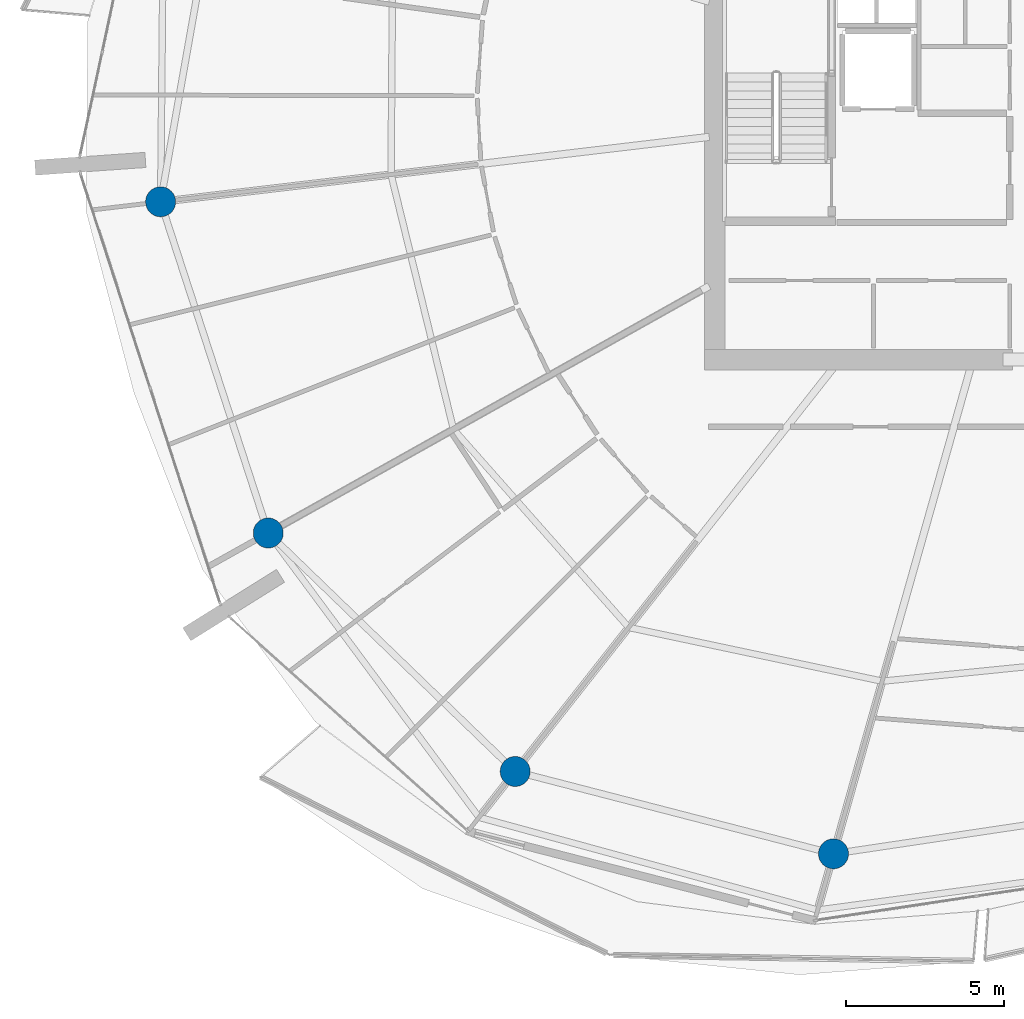
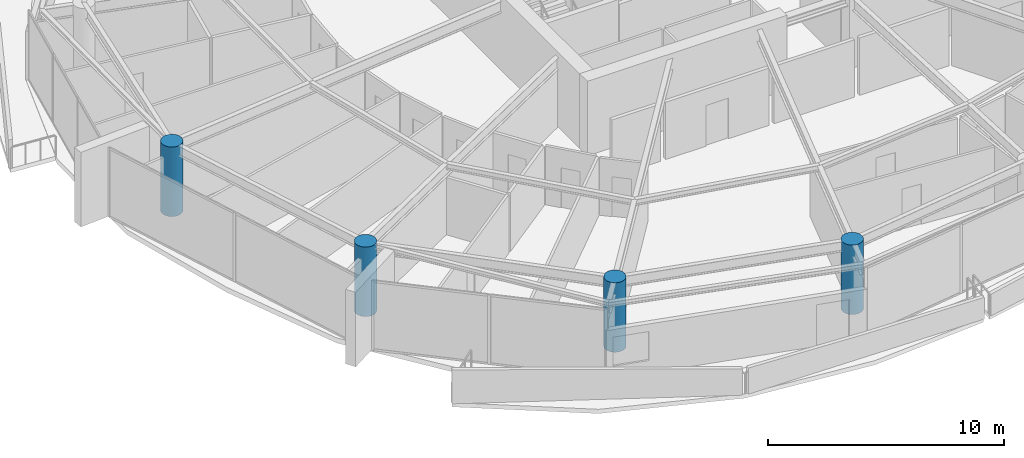
# One storey, part 1 of 29: 4 columns.
"""IFC4 building model written with IfcOpenShell, lengths in metres."""

import ifcopenshell
import ifcopenshell.guid

model = None  # the IFC model being written
_history = None  # IfcOwnerHistory: only IFC2X3 demands one
_inside = {}  # id of a spatial element -> (the spatial element, [elements in it])
_under = {}  # id of a project, library or spatial element -> (it, [spatial elements below it])
_declared = {}  # id of a project -> (the project, [libraries it declares])
_typed = {}  # id of a type object -> (the type object, [elements of that type])
_made_of = {}  # id of a material, layer set ... -> (it, [elements and type objects made of it])


def new_model(schema):
    """Start an empty IFC model of exactly this schema.

    Asked for "IFC4X3", IfcOpenShell would pick the latest addendum, in which some entities
    have other attributes; the version numbers below select the first issue.
    IFC2X3 requires an IfcOwnerHistory on every rooted entity: one is made here for all.
    """
    global model, _history
    if schema == "IFC4X3":
        model = ifcopenshell.file(schema_version=(4, 3, 0, 0))
    else:
        model = ifcopenshell.file(schema=schema)
    _inside.clear()
    _under.clear()
    _declared.clear()
    _typed.clear()
    _made_of.clear()
    _history = None
    if model.schema == "IFC2X3":
        org = make("IfcOrganization", Name="unknown")
        user = make(
            "IfcPersonAndOrganization",
            ThePerson=make("IfcPerson", FamilyName="unknown"),
            TheOrganization=org,
        )
        app = make(
            "IfcApplication",
            ApplicationDeveloper=org,
            Version="unknown",
            ApplicationFullName="unknown",
            ApplicationIdentifier="unknown",
        )
        _history = make(
            "IfcOwnerHistory",
            OwningUser=user,
            OwningApplication=app,
            ChangeAction="ADDED",
            CreationDate=0,
        )
    return model


def make(cls, **values):
    """One entity of the class cls with the attributes given. An attribute that is None is left unset."""
    return model.create_entity(
        cls, **{name: value for name, value in values.items() if value is not None}
    )


def rooted(cls, **values):
    """An entity with a GlobalId (a new one), such as an element, a storey or a relation."""
    return make(cls, GlobalId=ifcopenshell.guid.new(), OwnerHistory=_history, **values)


def si_unit(unit_type, name, prefix=None):
    """IfcSIUnit, for example si_unit("LENGTHUNIT", "METRE", prefix="MILLI")."""
    return make("IfcSIUnit", UnitType=unit_type, Prefix=prefix, Name=name)


def assignment(units):
    """IfcUnitAssignment: the units of a project."""
    return None if units is None else make("IfcUnitAssignment", Units=units)


def point(xyz):
    """IfcCartesianPoint."""
    return None if xyz is None else make("IfcCartesianPoint", Coordinates=xyz)


def direction(xyz):
    """IfcDirection."""
    return None if xyz is None else make("IfcDirection", DirectionRatios=xyz)


def frame(location, z_axis=None, x_axis=None):
    """IfcAxis2Placement3D, a coordinate frame: its origin and axes. An axis left out is left unset."""
    return make(
        "IfcAxis2Placement3D",
        Location=point(location),
        Axis=direction(z_axis),
        RefDirection=direction(x_axis),
    )


def frame_2d(location, x_axis=None):
    """IfcAxis2Placement2D, a coordinate frame in the plane: its origin and x axis."""
    return make(
        "IfcAxis2Placement2D", Location=point(location), RefDirection=direction(x_axis)
    )


def origin():
    """The frame at (0, 0, 0) with its axes left unset."""
    return frame((0.0, 0.0, 0.0))


def origin_2d():
    """The frame at (0, 0) in the plane with its x axis left unset."""
    return frame_2d((0.0, 0.0))


def place(relative_to, where):
    """IfcLocalPlacement: puts the frame where relative to a parent placement (None: the world)."""
    return make(
        "IfcLocalPlacement", PlacementRelTo=relative_to, RelativePlacement=where
    )


def context(
    kind, dimensions, precision=None, world=None, true_north=None, identifier=None
):
    """IfcGeometricRepresentationContext, for example the 3D "Model" context."""
    return make(
        "IfcGeometricRepresentationContext",
        ContextIdentifier=identifier,
        ContextType=kind,
        CoordinateSpaceDimension=dimensions,
        Precision=precision,
        WorldCoordinateSystem=world,
        TrueNorth=true_north,
    )


def subcontext(parent, identifier, kind, view, scale=None):
    """IfcGeometricRepresentationSubContext, for example "Body" below "Model"."""
    return make(
        "IfcGeometricRepresentationSubContext",
        ContextIdentifier=identifier,
        ContextType=kind,
        ParentContext=parent,
        TargetScale=scale,
        TargetView=view,
    )


def project(units=None, contexts=None):
    """IfcProject with its units and contexts."""
    return rooted(
        "IfcProject",
        Name="project",
        RepresentationContexts=contexts,
        UnitsInContext=assignment(units),
    )


def spatial(cls, under=None, at=None, **own):
    """A site, building, storey or space (cls), placed at a placement, below another one or the project."""
    s = rooted(cls, ObjectPlacement=at, **own)
    if under is not None:
        _under.setdefault(under.id(), (under, []))[1].append(s)
    return s


def profile(cls, at=None, kind="AREA", **sizes):
    """A parametric profile (cls). Its sizes go by their IFC names, for example OverallWidth=200.0."""
    return make(cls, ProfileType=kind, Position=at, **sizes)


def circle(**sizes):
    """IfcCircleProfileDef."""
    return profile("IfcCircleProfileDef", **sizes)


def extrude(swept, where, along, depth):
    """IfcExtrudedAreaSolid: the profile swept, set in the frame where, extruded along a direction by depth."""
    return make(
        "IfcExtrudedAreaSolid",
        SweptArea=swept,
        Position=where,
        ExtrudedDirection=direction(along),
        Depth=depth,
    )


def shape(context_of_items, identifier, shape_type, items):
    """IfcShapeRepresentation: the items that make up one representation, for example the "Body"."""
    return make(
        "IfcShapeRepresentation",
        ContextOfItems=context_of_items,
        RepresentationIdentifier=identifier,
        RepresentationType=shape_type,
        Items=items,
    )


def material(Name=None, Category=None):
    """IfcMaterial."""
    return make("IfcMaterial", Name=Name, Category=Category)


def material_profile(
    of_material, cross_section, Name=None, Category=None, Priority=None
):
    """IfcMaterialProfile: a cross section and its material."""
    return make(
        "IfcMaterialProfile",
        Name=Name,
        Material=of_material,
        Profile=cross_section,
        Priority=Priority,
        Category=Category,
    )


def profile_set(profiles, Name=None, composite=None):
    """IfcMaterialProfileSet."""
    return make(
        "IfcMaterialProfileSet",
        Name=Name,
        MaterialProfiles=profiles,
        CompositeProfile=composite,
    )


def made_of(thing, what):
    """Note that an element or type object is made of a material, layer set ...; save() writes the relation."""
    if what is not None:
        _made_of.setdefault(what.id(), (what, []))[1].append(thing)
    return thing


def type_object(cls, material=None, **own):
    """A type object (cls), such as IfcWallType, which elements share."""
    return made_of(rooted(cls, **own), material)


def element(
    cls,
    number,
    at=None,
    inside=None,
    cuts=None,
    type_object=None,
    material=None,
    context=None,
    identifier="Body",
    shape_type=None,
    held_by="IfcProductDefinitionShape",
    body=None,
    shapes=None,
    **own,
):
    """One element of the class cls, such as IfcWall. Its Tag is "e" and its number.

    at: its placement. inside: the storey or other place that contains it. cuts: it is an
    opening in that element (IfcRelVoidsElement). A single representation is given by context,
    identifier, shape_type and body (its items); several are given by shapes. held_by: the class
    of the entity that holds the representations. save() writes the other relations.
    """
    e = rooted(cls, Tag="e%d" % number, ObjectPlacement=at, **own)
    if body is not None:
        shapes = [shape(context, identifier, shape_type, body)]
    if shapes is not None:
        e.Representation = make(held_by, Representations=shapes)
    if inside is not None:
        _inside.setdefault(inside.id(), (inside, []))[1].append(e)
    if cuts is not None:
        rooted(
            "IfcRelVoidsElement", RelatingBuildingElement=cuts, RelatedOpeningElement=e
        )
    if type_object is not None:
        _typed.setdefault(type_object.id(), (type_object, []))[1].append(e)
    return made_of(e, material)


def aggregate(whole, parts):
    """IfcRelAggregates: a whole, such as a stair, and the parts it consists of."""
    return rooted("IfcRelAggregates", RelatingObject=whole, RelatedObjects=parts)


def save(model, path):
    """Write the relations noted so far, then the file.

    IfcRelAggregates (storeys below a building ...), IfcRelContainedInSpatialStructure (elements
    in a storey), IfcRelDefinesByType, IfcRelAssociatesMaterial and IfcRelDeclares: one each for
    every whole, place, type object, material and project.
    """
    for whole, parts in _under.values():
        aggregate(whole, parts)
    for where, things in _inside.values():
        rooted(
            "IfcRelContainedInSpatialStructure",
            RelatedElements=things,
            RelatingStructure=where,
        )
    for kind, things in _typed.values():
        rooted("IfcRelDefinesByType", RelatedObjects=things, RelatingType=kind)
    for what, things in _made_of.values():
        rooted("IfcRelAssociatesMaterial", RelatedObjects=things, RelatingMaterial=what)
    for by, libraries in _declared.values():
        rooted("IfcRelDeclares", RelatingContext=by, RelatedDefinitions=libraries)
    model.write(path)


model = new_model("IFC4")

# Units and contexts
model_context = context("Model", 3, precision=1e-05, world=origin(), true_north=direction((0.0, 1.0)))
body_context = subcontext(model_context, "Body", "Model", "MODEL_VIEW")
ifc_project = project(units=[si_unit("LENGTHUNIT", "METRE"), si_unit("AREAUNIT", "SQUARE_METRE"), si_unit("VOLUMEUNIT", "CUBIC_METRE"), si_unit("PLANEANGLEUNIT", "RADIAN"), si_unit("MASSUNIT", "GRAM", prefix="KILO")], contexts=[model_context])

# Site, building, storey
site_placement = place(None, origin())
site = spatial("IfcSite", under=ifc_project, at=site_placement, CompositionType="ELEMENT")
building_placement = place(site_placement, origin())
building = spatial("IfcBuilding", under=site, at=building_placement, Name="Kazma Halo Residences", CompositionType="ELEMENT")
storey_placement = place(building_placement, frame((0.0, 0.0, 252.10009765625)))
storey = spatial("IfcBuildingStorey", under=building, at=storey_placement, Name="L63", CompositionType="ELEMENT", Elevation=252.10009765625)

# Columns
ifc_material = material(Name="Concrete C60/75", Category="concrete")
ifc_material_profile = material_profile(ifc_material, circle(Radius=0.47509765625, at=origin_2d()), Name="CIRC950")
ifc_profile_set = profile_set([ifc_material_profile], Name="Concrete C60/75")
column_type = type_object("IfcColumnType", Name="COL-PERIM-950", PredefinedType="COLUMN", material=ifc_profile_set)
for number, where, z_axis, x_axis, name in (
    (1, (19.92041015625, 38.676513671875, 0.0), (0.0, 0.0, 1.0), (1.0, 0.0, 0.0), "L63 perimeter ring column P08"),
    (2, (23.32958984375, 28.18408203125, 0.0), (0.0, 0.0, 1.0), (1.0, 0.0, 0.0), "L63 perimeter ring column P09"),
    (3, (31.15283203125, 20.62939453125, 0.0), (0.0, 0.0, 1.0), (1.0, 0.0, 0.0), "L63 perimeter ring column P10"),
    (4, (41.237060546875, 18.0205078125, 0.0), (0.0, 0.0, 1.0), (1.0, 0.0, 0.0), "L63 perimeter ring column P11"),
):
    element("IfcColumn", number, at=place(storey_placement, frame(where, z_axis=z_axis, x_axis=x_axis)), inside=storey, type_object=column_type, Name=name, PredefinedType="COLUMN", context=body_context, shape_type="SweptSolid", body=[
        extrude(circle(Radius=0.47509765625, at=origin_2d()), origin(), (0.0, 0.0, 1.0), 3.58984375),
    ])

save(model, "model.ifc")
